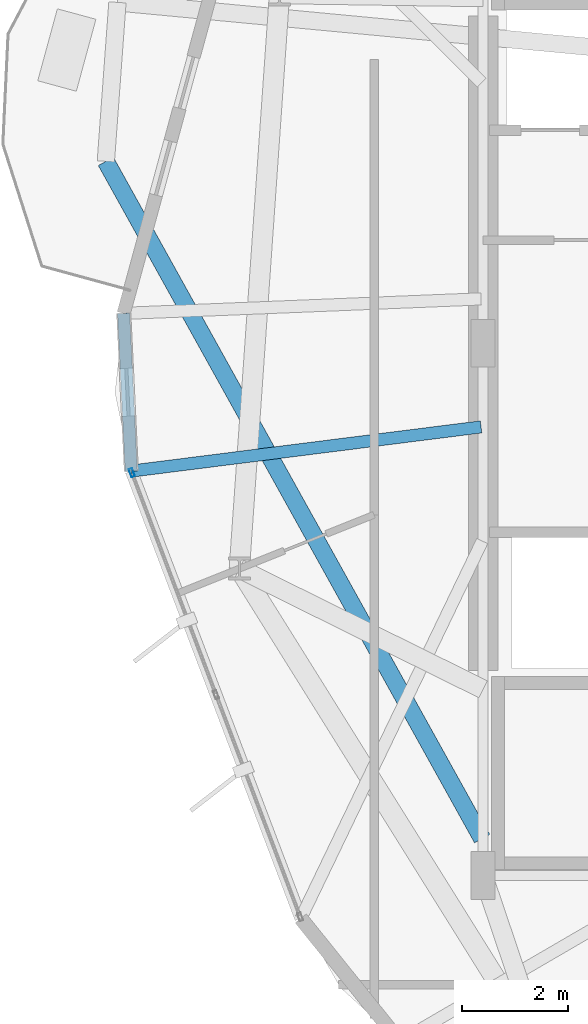
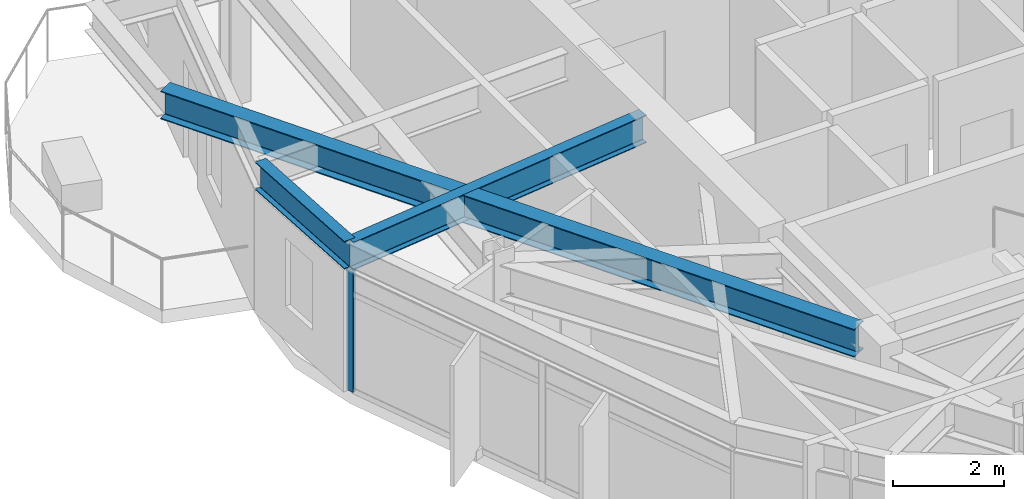
# One storey, part 8 of 23: 3 beams, 1 member, 1 element without a shape of its own.
"""IFC4 building model written with IfcOpenShell, lengths in metres."""

import ifcopenshell
import ifcopenshell.guid

model = None  # the IFC model being written
_history = None  # IfcOwnerHistory: only IFC2X3 demands one
_inside = {}  # id of a spatial element -> (the spatial element, [elements in it])
_under = {}  # id of a project, library or spatial element -> (it, [spatial elements below it])
_declared = {}  # id of a project -> (the project, [libraries it declares])
_typed = {}  # id of a type object -> (the type object, [elements of that type])
_made_of = {}  # id of a material, layer set ... -> (it, [elements and type objects made of it])


def new_model(schema):
    """Start an empty IFC model of exactly this schema.

    Asked for "IFC4X3", IfcOpenShell would pick the latest addendum, in which some entities
    have other attributes; the version numbers below select the first issue.
    IFC2X3 requires an IfcOwnerHistory on every rooted entity: one is made here for all.
    """
    global model, _history
    if schema == "IFC4X3":
        model = ifcopenshell.file(schema_version=(4, 3, 0, 0))
    else:
        model = ifcopenshell.file(schema=schema)
    _inside.clear()
    _under.clear()
    _declared.clear()
    _typed.clear()
    _made_of.clear()
    _history = None
    if model.schema == "IFC2X3":
        org = make("IfcOrganization", Name="unknown")
        user = make(
            "IfcPersonAndOrganization",
            ThePerson=make("IfcPerson", FamilyName="unknown"),
            TheOrganization=org,
        )
        app = make(
            "IfcApplication",
            ApplicationDeveloper=org,
            Version="unknown",
            ApplicationFullName="unknown",
            ApplicationIdentifier="unknown",
        )
        _history = make(
            "IfcOwnerHistory",
            OwningUser=user,
            OwningApplication=app,
            ChangeAction="ADDED",
            CreationDate=0,
        )
    return model


def make(cls, **values):
    """One entity of the class cls with the attributes given. An attribute that is None is left unset."""
    return model.create_entity(
        cls, **{name: value for name, value in values.items() if value is not None}
    )


def rooted(cls, **values):
    """An entity with a GlobalId (a new one), such as an element, a storey or a relation."""
    return make(cls, GlobalId=ifcopenshell.guid.new(), OwnerHistory=_history, **values)


def si_unit(unit_type, name, prefix=None):
    """IfcSIUnit, for example si_unit("LENGTHUNIT", "METRE", prefix="MILLI")."""
    return make("IfcSIUnit", UnitType=unit_type, Prefix=prefix, Name=name)


def assignment(units):
    """IfcUnitAssignment: the units of a project."""
    return None if units is None else make("IfcUnitAssignment", Units=units)


def point(xyz):
    """IfcCartesianPoint."""
    return None if xyz is None else make("IfcCartesianPoint", Coordinates=xyz)


def direction(xyz):
    """IfcDirection."""
    return None if xyz is None else make("IfcDirection", DirectionRatios=xyz)


def frame(location, z_axis=None, x_axis=None):
    """IfcAxis2Placement3D, a coordinate frame: its origin and axes. An axis left out is left unset."""
    return make(
        "IfcAxis2Placement3D",
        Location=point(location),
        Axis=direction(z_axis),
        RefDirection=direction(x_axis),
    )


def frame_2d(location, x_axis=None):
    """IfcAxis2Placement2D, a coordinate frame in the plane: its origin and x axis."""
    return make(
        "IfcAxis2Placement2D", Location=point(location), RefDirection=direction(x_axis)
    )


def origin():
    """The frame at (0, 0, 0) with its axes left unset."""
    return frame((0.0, 0.0, 0.0))


def origin_2d():
    """The frame at (0, 0) in the plane with its x axis left unset."""
    return frame_2d((0.0, 0.0))


def place(relative_to, where):
    """IfcLocalPlacement: puts the frame where relative to a parent placement (None: the world)."""
    return make(
        "IfcLocalPlacement", PlacementRelTo=relative_to, RelativePlacement=where
    )


def context(
    kind, dimensions, precision=None, world=None, true_north=None, identifier=None
):
    """IfcGeometricRepresentationContext, for example the 3D "Model" context."""
    return make(
        "IfcGeometricRepresentationContext",
        ContextIdentifier=identifier,
        ContextType=kind,
        CoordinateSpaceDimension=dimensions,
        Precision=precision,
        WorldCoordinateSystem=world,
        TrueNorth=true_north,
    )


def subcontext(parent, identifier, kind, view, scale=None):
    """IfcGeometricRepresentationSubContext, for example "Body" below "Model"."""
    return make(
        "IfcGeometricRepresentationSubContext",
        ContextIdentifier=identifier,
        ContextType=kind,
        ParentContext=parent,
        TargetScale=scale,
        TargetView=view,
    )


def project(units=None, contexts=None):
    """IfcProject with its units and contexts."""
    return rooted(
        "IfcProject",
        Name="project",
        RepresentationContexts=contexts,
        UnitsInContext=assignment(units),
    )


def spatial(cls, under=None, at=None, **own):
    """A site, building, storey or space (cls), placed at a placement, below another one or the project."""
    s = rooted(cls, ObjectPlacement=at, **own)
    if under is not None:
        _under.setdefault(under.id(), (under, []))[1].append(s)
    return s


def profile(cls, at=None, kind="AREA", **sizes):
    """A parametric profile (cls). Its sizes go by their IFC names, for example OverallWidth=200.0."""
    return make(cls, ProfileType=kind, Position=at, **sizes)


def hollow_rectangle(**sizes):
    """IfcRectangleHollowProfileDef."""
    return profile("IfcRectangleHollowProfileDef", **sizes)


def i_section(**sizes):
    """IfcIShapeProfileDef."""
    return profile("IfcIShapeProfileDef", **sizes)


def extrude(swept, where, along, depth):
    """IfcExtrudedAreaSolid: the profile swept, set in the frame where, extruded along a direction by depth."""
    return make(
        "IfcExtrudedAreaSolid",
        SweptArea=swept,
        Position=where,
        ExtrudedDirection=direction(along),
        Depth=depth,
    )


def shape(context_of_items, identifier, shape_type, items):
    """IfcShapeRepresentation: the items that make up one representation, for example the "Body"."""
    return make(
        "IfcShapeRepresentation",
        ContextOfItems=context_of_items,
        RepresentationIdentifier=identifier,
        RepresentationType=shape_type,
        Items=items,
    )


def material(Name=None, Category=None):
    """IfcMaterial."""
    return make("IfcMaterial", Name=Name, Category=Category)


def layer(
    of_material, thickness, ventilated=None, Name=None, Category=None, Priority=None
):
    """IfcMaterialLayer: one layer of a wall or slab, of a material (None: an air gap)."""
    return make(
        "IfcMaterialLayer",
        Material=of_material,
        LayerThickness=thickness,
        IsVentilated=ventilated,
        Name=Name,
        Category=Category,
        Priority=Priority,
    )


def layer_set(layers, Name=None):
    """IfcMaterialLayerSet."""
    return make("IfcMaterialLayerSet", MaterialLayers=layers, LayerSetName=Name)


def material_profile(
    of_material, cross_section, Name=None, Category=None, Priority=None
):
    """IfcMaterialProfile: a cross section and its material."""
    return make(
        "IfcMaterialProfile",
        Name=Name,
        Material=of_material,
        Profile=cross_section,
        Priority=Priority,
        Category=Category,
    )


def profile_set(profiles, Name=None, composite=None):
    """IfcMaterialProfileSet."""
    return make(
        "IfcMaterialProfileSet",
        Name=Name,
        MaterialProfiles=profiles,
        CompositeProfile=composite,
    )


def made_of(thing, what):
    """Note that an element or type object is made of a material, layer set ...; save() writes the relation."""
    if what is not None:
        _made_of.setdefault(what.id(), (what, []))[1].append(thing)
    return thing


def type_object(cls, material=None, **own):
    """A type object (cls), such as IfcWallType, which elements share."""
    return made_of(rooted(cls, **own), material)


def element(
    cls,
    number,
    at=None,
    inside=None,
    cuts=None,
    type_object=None,
    material=None,
    context=None,
    identifier="Body",
    shape_type=None,
    held_by="IfcProductDefinitionShape",
    body=None,
    shapes=None,
    **own,
):
    """One element of the class cls, such as IfcWall. Its Tag is "e" and its number.

    at: its placement. inside: the storey or other place that contains it. cuts: it is an
    opening in that element (IfcRelVoidsElement). A single representation is given by context,
    identifier, shape_type and body (its items); several are given by shapes. held_by: the class
    of the entity that holds the representations. save() writes the other relations.
    """
    e = rooted(cls, Tag="e%d" % number, ObjectPlacement=at, **own)
    if body is not None:
        shapes = [shape(context, identifier, shape_type, body)]
    if shapes is not None:
        e.Representation = make(held_by, Representations=shapes)
    if inside is not None:
        _inside.setdefault(inside.id(), (inside, []))[1].append(e)
    if cuts is not None:
        rooted(
            "IfcRelVoidsElement", RelatingBuildingElement=cuts, RelatedOpeningElement=e
        )
    if type_object is not None:
        _typed.setdefault(type_object.id(), (type_object, []))[1].append(e)
    return made_of(e, material)


def aggregate(whole, parts):
    """IfcRelAggregates: a whole, such as a stair, and the parts it consists of."""
    return rooted("IfcRelAggregates", RelatingObject=whole, RelatedObjects=parts)


def save(model, path):
    """Write the relations noted so far, then the file.

    IfcRelAggregates (storeys below a building ...), IfcRelContainedInSpatialStructure (elements
    in a storey), IfcRelDefinesByType, IfcRelAssociatesMaterial and IfcRelDeclares: one each for
    every whole, place, type object, material and project.
    """
    for whole, parts in _under.values():
        aggregate(whole, parts)
    for where, things in _inside.values():
        rooted(
            "IfcRelContainedInSpatialStructure",
            RelatedElements=things,
            RelatingStructure=where,
        )
    for kind, things in _typed.values():
        rooted("IfcRelDefinesByType", RelatedObjects=things, RelatingType=kind)
    for what, things in _made_of.values():
        rooted("IfcRelAssociatesMaterial", RelatedObjects=things, RelatingMaterial=what)
    for by, libraries in _declared.values():
        rooted("IfcRelDeclares", RelatingContext=by, RelatedDefinitions=libraries)
    model.write(path)


model = new_model("IFC4")

# Units and contexts
model_context = context("Model", 3, precision=1e-05, world=origin(), true_north=direction((0.0, 1.0)))
body_context = subcontext(model_context, "Body", "Model", "MODEL_VIEW")
ifc_project = project(units=[si_unit("LENGTHUNIT", "METRE"), si_unit("AREAUNIT", "SQUARE_METRE"), si_unit("VOLUMEUNIT", "CUBIC_METRE"), si_unit("PLANEANGLEUNIT", "RADIAN"), si_unit("MASSUNIT", "GRAM", prefix="KILO")], contexts=[model_context])

# Site, building, storey
site_placement = place(None, origin())
site = spatial("IfcSite", under=ifc_project, at=site_placement, CompositionType="ELEMENT")
building_placement = place(site_placement, origin())
building = spatial("IfcBuilding", under=site, at=building_placement, Name="Soratama Intermodal Tower", CompositionType="ELEMENT")
storey_placement = place(building_placement, frame((0.0, 0.0, 175.0)))
storey = spatial("IfcBuildingStorey", under=building, at=storey_placement, Name="L43", CompositionType="ELEMENT", Elevation=175.0)

# Beams
ifc_material_1 = material(Name="Structural steel ASTM A992 Grade 50", Category="steel")
ifc_material_profile_1 = material_profile(ifc_material_1, i_section(OverallWidth=0.324951171875, OverallDepth=0.615966796875, WebThickness=0.013916015625, FlangeThickness=0.021484375, FilletRadius=0.013916015625, at=origin_2d()), Name="W24X117")
ifc_profile_set_1 = profile_set([ifc_material_profile_1], Name="Structural steel ASTM A992 Grade 50")
beam_type_1 = type_object("IfcBeamType", Name="BM-CANT-W24X117", PredefinedType="BEAM", material=ifc_profile_set_1)
beam_1_placement = place(storey_placement, frame((32.5810546875, 15.694091796875, 2.991943359375), z_axis=(-0.485657172193, 0.874149364295, 0.0), x_axis=(-0.874149364295, -0.485657172193, 0.0)))
element("IfcBeam", 1, at=beam_1_placement, inside=storey, type_object=beam_type_1, Name="BM-L43-CANT-2-2", PredefinedType="BEAM", context=body_context, shape_type="SweptSolid", body=[
    extrude(i_section(OverallWidth=0.324951171875, OverallDepth=0.615966796875, WebThickness=0.013916015625, FlangeThickness=0.021484375, FilletRadius=0.013916015625, at=origin_2d()), origin(), (0.0, 0.0, 1.0), 14.5556640625),
])
ifc_material_2 = material(Name="Structural steel ASTM A992 Grade 50", Category="steel")
ifc_material_profile_2 = material_profile(ifc_material_2, i_section(OverallWidth=0.22900390625, OverallDepth=0.612060546875, WebThickness=0.011962890625, FlangeThickness=0.01953125, FilletRadius=0.012939453125, at=origin_2d()), Name="W24X84")
ifc_profile_set_2 = profile_set([ifc_material_profile_2], Name="Structural steel ASTM A992 Grade 50")
beam_type_2 = type_object("IfcBeamType", Name="BM-SPN-W24X84", PredefinedType="SPANDREL", material=ifc_profile_set_2)
beam_2_placement = place(storey_placement, frame((25.845947265625, 25.56201171875, 2.993896484375), z_axis=(0.048229898576, -0.998836261298, 0.0), x_axis=(0.998836261298, 0.048229898576, 0.0)))
element("IfcBeam", 2, at=beam_2_placement, inside=storey, type_object=beam_type_2, Name="BS-L43-CRN04", PredefinedType="SPANDREL", context=body_context, shape_type="SweptSolid", body=[
    extrude(i_section(OverallWidth=0.22900390625, OverallDepth=0.612060546875, WebThickness=0.011962890625, FlangeThickness=0.01953125, FilletRadius=0.012939453125, at=origin_2d()), origin(), (0.0, 0.0, 1.0), 2.96630859375),
])
ifc_material_3 = material(Name="Structural steel ASTM A992 Grade 50", Category="steel")
ifc_material_profile_3 = material_profile(ifc_material_3, i_section(OverallWidth=0.22900390625, OverallDepth=0.612060546875, WebThickness=0.011962890625, FlangeThickness=0.01953125, FilletRadius=0.012939453125, at=origin_2d()), Name="W24X84")
ifc_profile_set_3 = profile_set([ifc_material_profile_3], Name="Structural steel ASTM A992 Grade 50")
beam_type_3 = type_object("IfcBeamType", Name="BM-TIE-W24X84", PredefinedType="BEAM", material=ifc_profile_set_3)
beam_3_placement = place(storey_placement, frame((32.56005859375, 23.428955078125, 2.993896484375), z_axis=(-0.992119995393, -0.1252913195, 0.0), x_axis=(0.1252913195, -0.992119995393, 0.0)))
element("IfcBeam", 3, at=beam_3_placement, inside=storey, type_object=beam_type_3, Name="BM-L43-TIE0-05", PredefinedType="BEAM", context=body_context, shape_type="SweptSolid", body=[
    extrude(i_section(OverallWidth=0.22900390625, OverallDepth=0.612060546875, WebThickness=0.011962890625, FlangeThickness=0.01953125, FilletRadius=0.012939453125, at=origin_2d()), origin(), (0.0, 0.0, 1.0), 6.623291015625),
])

# Curtain wall, member
ifc_material_4 = material(Name="Double-glazed aluminium curtain wall", Category="aluminium")
ifc_layer = layer(ifc_material_4, 0.159912109375)
ifc_layer_set = layer_set([ifc_layer], Name="Double-glazed aluminium curtain wall")
curtain_wall_type = type_object("IfcCurtainWallType", Name="CW-SYS-4", PredefinedType="NOTDEFINED", material=ifc_layer_set)
curtain_wall_placement = place(storey_placement, origin())
curtain_wall = element("IfcCurtainWall", 4, at=curtain_wall_placement, inside=storey, type_object=curtain_wall_type, Name="L43 Faceted Curtain Wall F05", PredefinedType="NOTDEFINED")
ifc_material_5 = material(Name="Anodised aluminium AA 6063-T6", Category="aluminium")
ifc_material_profile_4 = material_profile(ifc_material_5, hollow_rectangle(XDim=0.070068359375, YDim=0.159912109375, WallThickness=0.0048828125, InnerFilletRadius=0.0048828125, OuterFilletRadius=0.010009765625, at=origin_2d()), Name="CWM160X70X5")
ifc_profile_set_4 = profile_set([ifc_material_profile_4], Name="Anodised aluminium AA 6063-T6")
member_type = type_object("IfcMemberType", Name="MT-CWM-4", PredefinedType="MULLION", material=ifc_profile_set_4)
member_placement = place(storey_placement, frame((25.999755859375, 22.570556640625, 0.0), z_axis=(0.0, 0.0, 1.0), x_axis=(0.935070549002, 0.354461659972, 0.0)))
member = element("IfcMember", 5, at=member_placement, type_object=member_type, Name="CW-4 mullion 1", PredefinedType="MULLION", context=body_context, shape_type="SweptSolid", body=[
    extrude(hollow_rectangle(XDim=0.070068359375, YDim=0.159912109375, WallThickness=0.0048828125, InnerFilletRadius=0.0048828125, OuterFilletRadius=0.010009765625, at=origin_2d()), origin(), (0.0, 0.0, 1.0), 2.678955078125),
])
aggregate(curtain_wall, [member])

save(model, "model.ifc")
